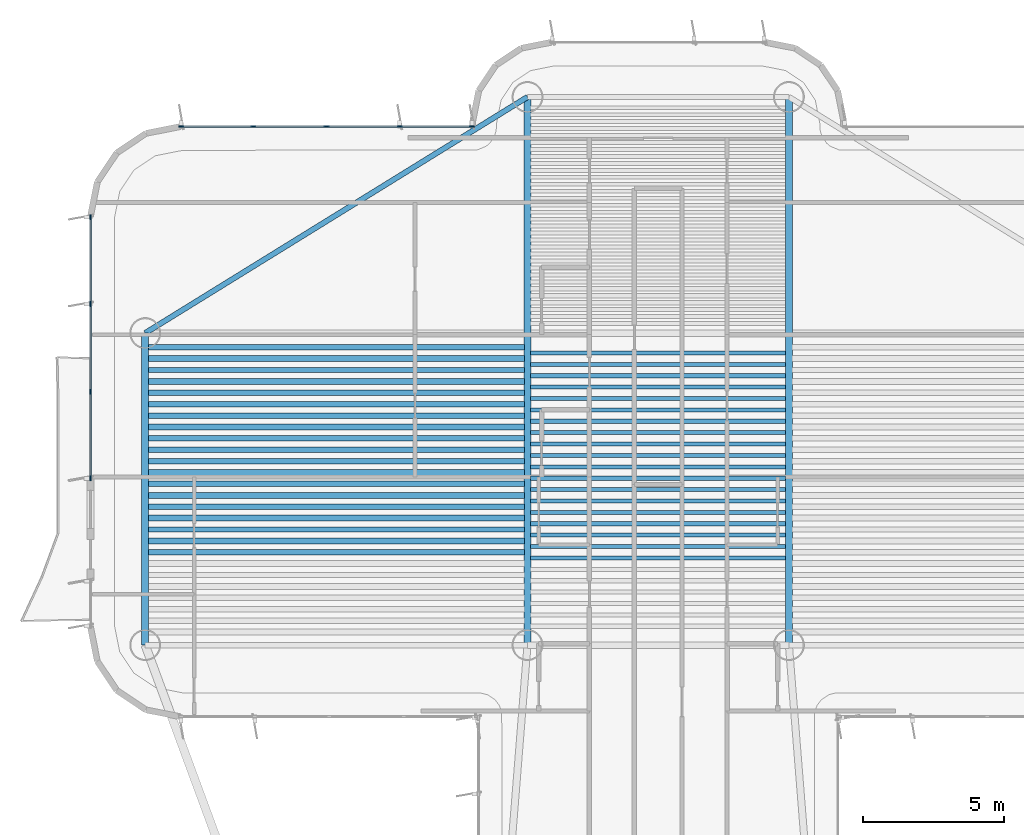
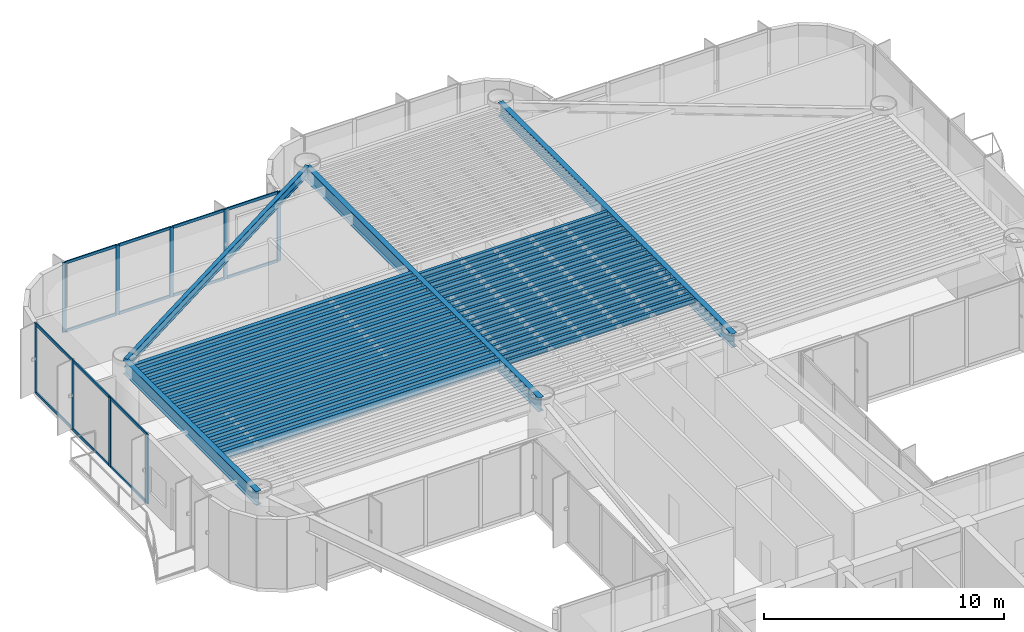
# One storey, part 5 of 14: 42 beams, 23 members, 2 elements without a shape of their own.
"""IFC4 building model written with IfcOpenShell, lengths in metres."""

from ifc_helpers import new_model, si_unit, direction, frame, origin, origin_2d, place, context, subcontext, project, spatial, rectangle, i_section, extrude, source, transform, mapped, material, layer, layer_set, material_profile, profile_set, type_object, element, aggregate, save


model = new_model("IFC4")

# Units and contexts
model_context = context("Model", 3, precision=1e-05, world=origin(), true_north=direction((0.0, 1.0)))
body_context = subcontext(model_context, "Body", "Model", "MODEL_VIEW")
ifc_project = project(units=[si_unit("LENGTHUNIT", "METRE"), si_unit("AREAUNIT", "SQUARE_METRE"), si_unit("VOLUMEUNIT", "CUBIC_METRE"), si_unit("PLANEANGLEUNIT", "RADIAN"), si_unit("MASSUNIT", "GRAM", prefix="KILO")], contexts=[model_context])

# Site, building, storey
site_placement = place(None, origin())
site = spatial("IfcSite", under=ifc_project, at=site_placement, CompositionType="ELEMENT")
building_placement = place(site_placement, origin())
building = spatial("IfcBuilding", under=site, at=building_placement, Name="Brelvock Crest Care Tower", CompositionType="ELEMENT")
storey_placement = place(building_placement, frame((0.0, 0.0, 205.56005859375)))
storey = spatial("IfcBuildingStorey", under=building, at=storey_placement, Name="L52", CompositionType="ELEMENT", Elevation=205.56005859375)

# Beams
ifc_material_1 = material(Name="Steel Grade 350", Category="steel")
ifc_material_profile_1 = material_profile(ifc_material_1, i_section(OverallWidth=0.14599609375, OverallDepth=0.256103515625, WebThickness=0.00634765625, FlangeThickness=0.010986328125, FilletRadius=0.0087890625, at=origin_2d()), Name="250UB37.3")
ifc_profile_set_1 = profile_set([ifc_material_profile_1], Name="Steel Grade 350")
beam_type_1 = type_object("IfcBeamType", Name="BM-J3", PredefinedType="JOIST", material=ifc_profile_set_1)
shared_shape_1 = source(origin(), body_context, "Body", "SweptSolid", [
    extrude(i_section(OverallWidth=0.14599609375, OverallDepth=0.256103515625, WebThickness=0.00634765625, FlangeThickness=0.010986328125, FilletRadius=0.0087890625, at=origin_2d()), origin(), (0.0, 0.0, 1.0), 9.06982421875),
])
for number, where, z_axis, x_axis, name in (
    (1, (31.465087890625, 38.0498046875, 3.40185546875), (1.0, 0.0, 0.0), (0.0, 1.0, 0.0), "BM-JH-L52-7"),
    (2, (31.465087890625, 38.454833984375, 3.40185546875), (1.0, 0.0, 0.0), (0.0, 1.0, 0.0), "BM-JH-L52-8"),
    (3, (31.465087890625, 38.860107421875, 3.40185546875), (1.0, 0.0, 0.0), (0.0, 1.0, 0.0), "BM-JH-L52-9"),
    (4, (31.465087890625, 39.26513671875, 3.40185546875), (1.0, 0.0, 0.0), (0.0, 1.0, 0.0), "BM-JH-L52-10"),
    (5, (31.465087890625, 39.67041015625, 3.40185546875), (1.0, 0.0, 0.0), (0.0, 1.0, 0.0), "BM-JH-L52-11"),
    (6, (31.465087890625, 40.075439453125, 3.40185546875), (1.0, 0.0, 0.0), (0.0, 1.0, 0.0), "BM-JH-L52-12"),
    (7, (31.465087890625, 40.480712890625, 3.40185546875), (1.0, 0.0, 0.0), (0.0, 1.0, 0.0), "BM-JH-L52-13"),
    (8, (31.465087890625, 40.8857421875, 3.40185546875), (1.0, 0.0, 0.0), (0.0, 1.0, 0.0), "BM-JH-L52-14"),
    (9, (31.465087890625, 41.291015625, 3.40185546875), (1.0, 0.0, 0.0), (0.0, 1.0, 0.0), "BM-JH-L52-15"),
    (10, (31.465087890625, 41.696044921875, 3.40185546875), (1.0, 0.0, 0.0), (0.0, 1.0, 0.0), "BM-JH-L52-16"),
    (11, (31.465087890625, 42.101318359375, 3.40185546875), (1.0, 0.0, 0.0), (0.0, 1.0, 0.0), "BM-JH-L52-17"),
    (12, (31.465087890625, 42.50634765625, 3.40185546875), (1.0, 0.0, 0.0), (0.0, 1.0, 0.0), "BM-JH-L52-18"),
    (13, (31.465087890625, 42.91162109375, 3.40185546875), (1.0, 0.0, 0.0), (0.0, 1.0, 0.0), "BM-JH-L52-19"),
    (14, (31.465087890625, 43.316650390625, 3.40185546875), (1.0, 0.0, 0.0), (0.0, 1.0, 0.0), "BM-JH-L52-20"),
    (15, (31.465087890625, 43.7216796875, 3.40185546875), (1.0, 0.0, 0.0), (0.0, 1.0, 0.0), "BM-JH-L52-21"),
    (16, (31.465087890625, 44.126953125, 3.40185546875), (1.0, 0.0, 0.0), (0.0, 1.0, 0.0), "BM-JH-L52-22"),
    (17, (31.465087890625, 44.531982421875, 3.40185546875), (1.0, 0.0, 0.0), (0.0, 1.0, 0.0), "BM-JH-L52-23"),
    (18, (31.465087890625, 44.937255859375, 3.40185546875), (1.0, 0.0, 0.0), (0.0, 1.0, 0.0), "BM-JH-L52-24"),
    (19, (31.465087890625, 45.34228515625, 3.40185546875), (1.0, 0.0, 0.0), (0.0, 1.0, 0.0), "BM-JH-L52-25"),
):
    element("IfcBeam", number, at=place(storey_placement, frame(where, z_axis=z_axis, x_axis=x_axis)), inside=storey, type_object=beam_type_1, Name=name, PredefinedType="JOIST", context=body_context, shape_type="MappedRepresentation", body=[
        mapped(shared_shape_1, transform((0.0, 0.0, 0.0), x_axis=(1.0, 0.0, 0.0), y_axis=(0.0, 1.0, 0.0), z_axis=(0.0, 0.0, 1.0), scale=1.0)),
    ])
ifc_material_profile_2 = material_profile(ifc_material_1, i_section(OverallWidth=0.208984375, OverallDepth=0.532958984375, WebThickness=0.01025390625, FlangeThickness=0.015625, FilletRadius=0.013916015625, at=origin_2d()), Name="530UB92.4")
ifc_profile_set_2 = profile_set([ifc_material_profile_2], Name="Steel Grade 350")
beam_type_2 = type_object("IfcBeamType", Name="BM-G2", PredefinedType="BEAM", material=ifc_profile_set_2)
shared_shape_2 = source(origin(), body_context, "Body", "SweptSolid", [
    extrude(i_section(OverallWidth=0.208984375, OverallDepth=0.532958984375, WebThickness=0.01025390625, FlangeThickness=0.015625, FilletRadius=0.013916015625, at=origin_2d()), origin(), (0.0, 0.0, 1.0), 13.3701171875),
])
for number, where, z_axis, x_axis, name in (
    (20, (17.864990234375, 38.657470703125, 3.263427734375), (1.0, 0.0, 0.0), (0.0, 1.0, 0.0), "BM-JW-L52-9"),
    (21, (17.864990234375, 39.4677734375, 3.263427734375), (1.0, 0.0, 0.0), (0.0, 1.0, 0.0), "BM-JW-L52-11"),
    (22, (17.864990234375, 40.278076171875, 3.263427734375), (1.0, 0.0, 0.0), (0.0, 1.0, 0.0), "BM-JW-L52-13"),
    (23, (17.864990234375, 41.08837890625, 3.263427734375), (1.0, 0.0, 0.0), (0.0, 1.0, 0.0), "BM-JW-L52-15"),
    (24, (17.864990234375, 41.898681640625, 3.263427734375), (1.0, 0.0, 0.0), (0.0, 1.0, 0.0), "BM-JW-L52-17"),
    (25, (17.864990234375, 42.708984375, 3.263427734375), (1.0, 0.0, 0.0), (0.0, 1.0, 0.0), "BM-JW-L52-19"),
    (26, (17.864990234375, 43.519287109375, 3.263427734375), (1.0, 0.0, 0.0), (0.0, 1.0, 0.0), "BM-JW-L52-21"),
    (27, (17.864990234375, 44.32958984375, 3.263427734375), (1.0, 0.0, 0.0), (0.0, 1.0, 0.0), "BM-JW-L52-23"),
    (28, (17.864990234375, 45.139892578125, 3.263427734375), (1.0, 0.0, 0.0), (0.0, 1.0, 0.0), "BM-JW-L52-25"),
):
    element("IfcBeam", number, at=place(storey_placement, frame(where, z_axis=z_axis, x_axis=x_axis)), inside=storey, type_object=beam_type_2, Name=name, PredefinedType="BEAM", context=body_context, shape_type="MappedRepresentation", body=[
        mapped(shared_shape_2, transform((0.0, 0.0, 0.0), x_axis=(1.0, 0.0, 0.0), y_axis=(0.0, 1.0, 0.0), z_axis=(0.0, 0.0, 1.0), scale=1.0)),
    ])
ifc_material_profile_3 = material_profile(ifc_material_1, i_section(OverallWidth=0.19091796875, OverallDepth=0.4599609375, WebThickness=0.010009765625, FlangeThickness=0.01611328125, FilletRadius=0.011474609375, at=origin_2d()), Name="460UB82.1")
ifc_profile_set_3 = profile_set([ifc_material_profile_3], Name="Steel Grade 350")
beam_type_3 = type_object("IfcBeamType", Name="BM-G3", PredefinedType="BEAM", material=ifc_profile_set_3)
shared_shape_3 = source(origin(), body_context, "Body", "SweptSolid", [
    extrude(i_section(OverallWidth=0.19091796875, OverallDepth=0.4599609375, WebThickness=0.010009765625, FlangeThickness=0.01611328125, FilletRadius=0.011474609375, at=origin_2d()), origin(), (0.0, 0.0, 1.0), 13.3701171875),
])
for number, where, z_axis, x_axis, name in (
    (29, (17.864990234375, 38.252197265625, 3.300048828125), (1.0, 0.0, 0.0), (0.0, 1.0, 0.0), "BM-JW-L52-8"),
    (30, (17.864990234375, 39.0625, 3.300048828125), (1.0, 0.0, 0.0), (0.0, 1.0, 0.0), "BM-JW-L52-10"),
    (31, (17.864990234375, 39.872802734375, 3.300048828125), (1.0, 0.0, 0.0), (0.0, 1.0, 0.0), "BM-JW-L52-12"),
    (32, (17.864990234375, 40.68310546875, 3.300048828125), (1.0, 0.0, 0.0), (0.0, 1.0, 0.0), "BM-JW-L52-14"),
    (33, (17.864990234375, 41.493408203125, 3.300048828125), (1.0, 0.0, 0.0), (0.0, 1.0, 0.0), "BM-JW-L52-16"),
    (34, (17.864990234375, 42.3037109375, 3.300048828125), (1.0, 0.0, 0.0), (0.0, 1.0, 0.0), "BM-JW-L52-18"),
    (35, (17.864990234375, 43.114013671875, 3.300048828125), (1.0, 0.0, 0.0), (0.0, 1.0, 0.0), "BM-JW-L52-20"),
    (36, (17.864990234375, 43.92431640625, 3.300048828125), (1.0, 0.0, 0.0), (0.0, 1.0, 0.0), "BM-JW-L52-22"),
    (37, (17.864990234375, 44.734619140625, 3.300048828125), (1.0, 0.0, 0.0), (0.0, 1.0, 0.0), "BM-JW-L52-24"),
    (38, (17.864990234375, 45.544921875, 3.300048828125), (1.0, 0.0, 0.0), (0.0, 1.0, 0.0), "BM-JW-L52-26"),
):
    element("IfcBeam", number, at=place(storey_placement, frame(where, z_axis=z_axis, x_axis=x_axis)), inside=storey, type_object=beam_type_3, Name=name, PredefinedType="BEAM", context=body_context, shape_type="MappedRepresentation", body=[
        mapped(shared_shape_3, transform((0.0, 0.0, 0.0), x_axis=(1.0, 0.0, 0.0), y_axis=(0.0, 1.0, 0.0), z_axis=(0.0, 0.0, 1.0), scale=1.0)),
    ])
ifc_material_profile_4 = material_profile(ifc_material_1, i_section(OverallWidth=0.25, OverallDepth=0.699951171875, WebThickness=0.011962890625, FlangeThickness=0.02001953125, at=origin_2d()), Name="700WB150")
ifc_profile_set_4 = profile_set([ifc_material_profile_4], Name="Steel Grade 350")
beam_type_4 = type_object("IfcBeamType", Name="BM-G4", PredefinedType="BEAM", material=ifc_profile_set_4)
shared_shape_4 = source(origin(), body_context, "Body", "SweptSolid", [
    extrude(i_section(OverallWidth=0.25, OverallDepth=0.699951171875, WebThickness=0.011962890625, FlangeThickness=0.02001953125, at=origin_2d()), origin(), (0.0, 0.0, 1.0), 11.10009765625),
])
beam_1_placement = place(storey_placement, frame((17.75, 34.949951171875, 3.179931640625), z_axis=(0.0, 1.0, 0.0), x_axis=(-1.0, 0.0, 0.0)))
element("IfcBeam", 39, at=beam_1_placement, inside=storey, type_object=beam_type_4, Name="BM-TWR-L52-01", PredefinedType="BEAM", context=body_context, shape_type="MappedRepresentation", body=[
    mapped(shared_shape_4, transform((0.0, 0.0, 0.0), x_axis=(1.0, 0.0, 0.0), y_axis=(0.0, 1.0, 0.0), z_axis=(0.0, 0.0, 1.0), scale=1.0)),
])
ifc_material_profile_5 = material_profile(ifc_material_1, i_section(OverallWidth=0.19091796875, OverallDepth=0.4599609375, WebThickness=0.010009765625, FlangeThickness=0.01611328125, FilletRadius=0.011474609375, at=origin_2d()), Name="460UB82.1")
ifc_profile_set_5 = profile_set([ifc_material_profile_5], Name="Steel Grade 350")
beam_type_5 = type_object("IfcBeamType", Name="BM-SP2", PredefinedType="SPANDREL", material=ifc_profile_set_5)
shared_shape_5 = source(origin(), body_context, "Body", "SweptSolid", [
    extrude(i_section(OverallWidth=0.19091796875, OverallDepth=0.4599609375, WebThickness=0.010009765625, FlangeThickness=0.01611328125, FilletRadius=0.011474609375, at=origin_2d()), origin(), (0.0, 0.0, 1.0), 15.985107421875),
])
beam_2_placement = place(storey_placement, frame((17.75, 46.050048828125, 3.300048828125), z_axis=(0.850802415717, 0.525485727124, 0.0), x_axis=(-0.525485727124, 0.850802415717, 0.0)))
element("IfcBeam", 40, at=beam_2_placement, inside=storey, type_object=beam_type_5, Name="BM-TWR-L52-06", PredefinedType="SPANDREL", context=body_context, shape_type="MappedRepresentation", body=[
    mapped(shared_shape_5, transform((0.0, 0.0, 0.0), x_axis=(1.0, 0.0, 0.0), y_axis=(0.0, 1.0, 0.0), z_axis=(0.0, 0.0, 1.0), scale=1.0)),
])
shared_shape_6 = source(origin(), body_context, "Body", "SweptSolid", [
    extrude(i_section(OverallWidth=0.25, OverallDepth=0.699951171875, WebThickness=0.011962890625, FlangeThickness=0.02001953125, at=origin_2d()), origin(), (0.0, 0.0, 1.0), 19.5),
])
for number, where, z_axis, x_axis, name in (
    (41, (31.35009765625, 34.949951171875, 3.179931640625), (0.0, 1.0, 0.0), (-1.0, 0.0, 0.0), "BM-TWR-L52-09"),
    (42, (40.64990234375, 34.949951171875, 3.179931640625), (0.0, 1.0, 0.0), (-1.0, 0.0, 0.0), "BM-TWR-L52-10"),
):
    element("IfcBeam", number, at=place(storey_placement, frame(where, z_axis=z_axis, x_axis=x_axis)), inside=storey, type_object=beam_type_4, Name=name, PredefinedType="BEAM", context=body_context, shape_type="MappedRepresentation", body=[
        mapped(shared_shape_6, transform((0.0, 0.0, 0.0), x_axis=(1.0, 0.0, 0.0), y_axis=(0.0, 1.0, 0.0), z_axis=(0.0, 0.0, 1.0), scale=1.0)),
    ])

# Curtain wall, members
ifc_material_2 = material(Name="Dark Glass Double Glazed Low-E", Category="glass")
ifc_layer = layer(ifc_material_2, 0.22509765625, Name="CWS-4")
ifc_layer_set = layer_set([ifc_layer], Name="Dark Glass Double Glazed Low-E")
curtain_wall_type = type_object("IfcCurtainWallType", Name="CWS-4", PredefinedType="NOTDEFINED", material=ifc_layer_set)
curtain_wall_1_placement = place(storey_placement, origin())
curtain_wall_1 = element("IfcCurtainWall", 43, at=curtain_wall_1_placement, inside=storey, type_object=curtain_wall_type, Name="L52 Curtain Wall E17B", PredefinedType="NOTDEFINED")
ifc_material_3 = material(Name="Aluminium 6063-T6", Category="aluminium")
ifc_material_profile_6 = material_profile(ifc_material_3, rectangle(XDim=0.06005859375, YDim=0.179931640625, at=origin_2d()), Name="ALU60x180")
ifc_profile_set_6 = profile_set([ifc_material_profile_6], Name="Aluminium 6063-T6")
member_type_1 = type_object("IfcMemberType", Name="CWM-2", PredefinedType="MULLION", material=ifc_profile_set_6)
shared_shape_7 = source(origin(), body_context, "Body", "SweptSolid", [
    extrude(rectangle(XDim=0.06005859375, YDim=0.179931640625, at=origin_2d()), origin(), (0.0, 0.0, 1.0), 3.530029296875),
])
member_1_placement = place(storey_placement, frame((15.800048828125, 40.8798828125, 0.0), z_axis=(0.0, 0.0, 1.0), x_axis=(-1.0, 0.0, 0.0)))
member_1 = element("IfcMember", 44, at=member_1_placement, type_object=member_type_1, Name="CW-4 mullion 1", PredefinedType="MULLION", context=body_context, shape_type="MappedRepresentation", body=[
    mapped(shared_shape_7, transform((0.0, 0.0, 0.0), x_axis=(1.0, 0.0, 0.0), y_axis=(0.0, 1.0, 0.0), z_axis=(0.0, 0.0, 1.0), scale=1.0)),
])
member_2_placement = place(storey_placement, frame((15.800048828125, 43.966552734375, 0.0), z_axis=(0.0, 0.0, 1.0), x_axis=(-1.0, 0.0, 0.0)))
member_2 = element("IfcMember", 45, at=member_2_placement, type_object=member_type_1, Name="CW-4 mullion 2", PredefinedType="MULLION", context=body_context, shape_type="MappedRepresentation", body=[
    mapped(shared_shape_7, transform((0.0, 0.0, 0.0), x_axis=(1.0, 0.0, 0.0), y_axis=(0.0, 1.0, 0.0), z_axis=(0.0, 0.0, 1.0), scale=1.0)),
])
member_3_placement = place(storey_placement, frame((15.800048828125, 47.083251953125, 0.0), z_axis=(0.0, 0.0, 1.0), x_axis=(-1.0, 0.0, 0.0)))
member_3 = element("IfcMember", 46, at=member_3_placement, type_object=member_type_1, Name="CW-4 mullion 3", PredefinedType="MULLION", context=body_context, shape_type="MappedRepresentation", body=[
    mapped(shared_shape_7, transform((0.0, 0.0, 0.0), x_axis=(1.0, 0.0, 0.0), y_axis=(0.0, 1.0, 0.0), z_axis=(0.0, 0.0, 1.0), scale=1.0)),
])
member_4_placement = place(storey_placement, frame((15.800048828125, 50.169921875, 0.0), z_axis=(0.0, 0.0, 1.0), x_axis=(-1.0, 0.0, 0.0)))
member_4 = element("IfcMember", 47, at=member_4_placement, type_object=member_type_1, Name="CW-4 mullion 4", PredefinedType="MULLION", context=body_context, shape_type="MappedRepresentation", body=[
    mapped(shared_shape_7, transform((0.0, 0.0, 0.0), x_axis=(1.0, 0.0, 0.0), y_axis=(0.0, 1.0, 0.0), z_axis=(0.0, 0.0, 1.0), scale=1.0)),
])

curtain_wall_2_placement = place(storey_placement, origin())
curtain_wall_2 = element("IfcCurtainWall", 48, at=curtain_wall_2_placement, inside=storey, type_object=curtain_wall_type, Name="L52 Curtain Wall E22", PredefinedType="NOTDEFINED")
member_5_placement = place(storey_placement, frame((19.030029296875, 53.39990234375, 0.0), z_axis=(0.0, 0.0, 1.0), x_axis=(0.0, 1.0, 0.0)))
member_5 = element("IfcMember", 49, at=member_5_placement, type_object=member_type_1, Name="CW-4 mullion 1", PredefinedType="MULLION", context=body_context, shape_type="MappedRepresentation", body=[
    mapped(shared_shape_7, transform((0.0, 0.0, 0.0), x_axis=(1.0, 0.0, 0.0), y_axis=(0.0, 1.0, 0.0), z_axis=(0.0, 0.0, 1.0), scale=1.0)),
])
member_6_placement = place(storey_placement, frame((21.60009765625, 53.39990234375, 0.0), z_axis=(0.0, 0.0, 1.0), x_axis=(0.0, 1.0, 0.0)))
member_6 = element("IfcMember", 50, at=member_6_placement, type_object=member_type_1, Name="CW-4 mullion 2", PredefinedType="MULLION", context=body_context, shape_type="MappedRepresentation", body=[
    mapped(shared_shape_7, transform((0.0, 0.0, 0.0), x_axis=(1.0, 0.0, 0.0), y_axis=(0.0, 1.0, 0.0), z_axis=(0.0, 0.0, 1.0), scale=1.0)),
])
member_7_placement = place(storey_placement, frame((24.199951171875, 53.39990234375, 0.0), z_axis=(0.0, 0.0, 1.0), x_axis=(0.0, 1.0, 0.0)))
member_7 = element("IfcMember", 51, at=member_7_placement, type_object=member_type_1, Name="CW-4 mullion 3", PredefinedType="MULLION", context=body_context, shape_type="MappedRepresentation", body=[
    mapped(shared_shape_7, transform((0.0, 0.0, 0.0), x_axis=(1.0, 0.0, 0.0), y_axis=(0.0, 1.0, 0.0), z_axis=(0.0, 0.0, 1.0), scale=1.0)),
])
member_8_placement = place(storey_placement, frame((26.800048828125, 53.39990234375, 0.0), z_axis=(0.0, 0.0, 1.0), x_axis=(0.0, 1.0, 0.0)))
member_8 = element("IfcMember", 52, at=member_8_placement, type_object=member_type_1, Name="CW-4 mullion 4", PredefinedType="MULLION", context=body_context, shape_type="MappedRepresentation", body=[
    mapped(shared_shape_7, transform((0.0, 0.0, 0.0), x_axis=(1.0, 0.0, 0.0), y_axis=(0.0, 1.0, 0.0), z_axis=(0.0, 0.0, 1.0), scale=1.0)),
])
member_9_placement = place(storey_placement, frame((29.3701171875, 53.39990234375, 0.0), z_axis=(0.0, 0.0, 1.0), x_axis=(0.0, 1.0, 0.0)))
member_9 = element("IfcMember", 53, at=member_9_placement, type_object=member_type_1, Name="CW-4 mullion 5", PredefinedType="MULLION", context=body_context, shape_type="MappedRepresentation", body=[
    mapped(shared_shape_7, transform((0.0, 0.0, 0.0), x_axis=(1.0, 0.0, 0.0), y_axis=(0.0, 1.0, 0.0), z_axis=(0.0, 0.0, 1.0), scale=1.0)),
])
ifc_material_profile_7 = material_profile(ifc_material_3, rectangle(XDim=0.06005859375, YDim=0.139892578125, at=origin_2d()), Name="ALU60x140")
ifc_profile_set_7 = profile_set([ifc_material_profile_7], Name="Aluminium 6063-T6")
member_type_2 = type_object("IfcMemberType", Name="CWT-2", PredefinedType="USERDEFINED", material=ifc_profile_set_7)
shared_shape_8 = source(origin(), body_context, "Body", "SweptSolid", [
    extrude(rectangle(XDim=0.06005859375, YDim=0.139892578125, at=origin_2d()), origin(), (0.0, 0.0, 1.0), 2.510009765625),
])
member_10_placement = place(storey_placement, frame((19.06005859375, 53.39990234375, 0.030029296875), z_axis=(1.0, 0.0, 0.0), x_axis=(0.0, 1.0, 0.0)))
member_10 = element("IfcMember", 54, at=member_10_placement, type_object=member_type_2, Name="CW-4 transom 1.1", ObjectType="TRANSOM", PredefinedType="USERDEFINED", context=body_context, shape_type="MappedRepresentation", body=[
    mapped(shared_shape_8, transform((0.0, 0.0, 0.0), x_axis=(1.0, 0.0, 0.0), y_axis=(0.0, 1.0, 0.0), z_axis=(0.0, 0.0, 1.0), scale=1.0)),
])
member_11_placement = place(storey_placement, frame((19.06005859375, 53.39990234375, 3.5), z_axis=(1.0, 0.0, 0.0), x_axis=(0.0, 1.0, 0.0)))
member_11 = element("IfcMember", 55, at=member_11_placement, type_object=member_type_2, Name="CW-4 transom 1.2", ObjectType="TRANSOM", PredefinedType="USERDEFINED", context=body_context, shape_type="MappedRepresentation", body=[
    mapped(shared_shape_8, transform((0.0, 0.0, 0.0), x_axis=(1.0, 0.0, 0.0), y_axis=(0.0, 1.0, 0.0), z_axis=(0.0, 0.0, 1.0), scale=1.0)),
])
member_12_placement = place(storey_placement, frame((26.830078125, 53.39990234375, 0.030029296875), z_axis=(1.0, 0.0, 0.0), x_axis=(0.0, 1.0, 0.0)))
member_12 = element("IfcMember", 56, at=member_12_placement, type_object=member_type_2, Name="CW-4 transom 4.1", ObjectType="TRANSOM", PredefinedType="USERDEFINED", context=body_context, shape_type="MappedRepresentation", body=[
    mapped(shared_shape_8, transform((0.0, 0.0, 0.0), x_axis=(1.0, 0.0, 0.0), y_axis=(0.0, 1.0, 0.0), z_axis=(0.0, 0.0, 1.0), scale=1.0)),
])
member_13_placement = place(storey_placement, frame((26.830078125, 53.39990234375, 3.5), z_axis=(1.0, 0.0, 0.0), x_axis=(0.0, 1.0, 0.0)))
member_13 = element("IfcMember", 57, at=member_13_placement, type_object=member_type_2, Name="CW-4 transom 4.2", ObjectType="TRANSOM", PredefinedType="USERDEFINED", context=body_context, shape_type="MappedRepresentation", body=[
    mapped(shared_shape_8, transform((0.0, 0.0, 0.0), x_axis=(1.0, 0.0, 0.0), y_axis=(0.0, 1.0, 0.0), z_axis=(0.0, 0.0, 1.0), scale=1.0)),
])
shared_shape_9 = source(origin(), body_context, "Body", "SweptSolid", [
    extrude(rectangle(XDim=0.06005859375, YDim=0.139892578125, at=origin_2d()), origin(), (0.0, 0.0, 1.0), 2.5400390625),
])
member_14_placement = place(storey_placement, frame((21.6298828125, 53.39990234375, 0.030029296875), z_axis=(1.0, 0.0, 0.0), x_axis=(0.0, 1.0, 0.0)))
member_14 = element("IfcMember", 58, at=member_14_placement, type_object=member_type_2, Name="CW-4 transom 2.1", ObjectType="TRANSOM", PredefinedType="USERDEFINED", context=body_context, shape_type="MappedRepresentation", body=[
    mapped(shared_shape_9, transform((0.0, 0.0, 0.0), x_axis=(1.0, 0.0, 0.0), y_axis=(0.0, 1.0, 0.0), z_axis=(0.0, 0.0, 1.0), scale=1.0)),
])
member_15_placement = place(storey_placement, frame((21.6298828125, 53.39990234375, 3.5), z_axis=(1.0, 0.0, 0.0), x_axis=(0.0, 1.0, 0.0)))
member_15 = element("IfcMember", 59, at=member_15_placement, type_object=member_type_2, Name="CW-4 transom 2.2", ObjectType="TRANSOM", PredefinedType="USERDEFINED", context=body_context, shape_type="MappedRepresentation", body=[
    mapped(shared_shape_9, transform((0.0, 0.0, 0.0), x_axis=(1.0, 0.0, 0.0), y_axis=(0.0, 1.0, 0.0), z_axis=(0.0, 0.0, 1.0), scale=1.0)),
])
member_16_placement = place(storey_placement, frame((24.22998046875, 53.39990234375, 0.030029296875), z_axis=(1.0, 0.0, 0.0), x_axis=(0.0, 1.0, 0.0)))
member_16 = element("IfcMember", 60, at=member_16_placement, type_object=member_type_2, Name="CW-4 transom 3.1", ObjectType="TRANSOM", PredefinedType="USERDEFINED", context=body_context, shape_type="MappedRepresentation", body=[
    mapped(shared_shape_9, transform((0.0, 0.0, 0.0), x_axis=(1.0, 0.0, 0.0), y_axis=(0.0, 1.0, 0.0), z_axis=(0.0, 0.0, 1.0), scale=1.0)),
])
member_17_placement = place(storey_placement, frame((24.22998046875, 53.39990234375, 3.5), z_axis=(1.0, 0.0, 0.0), x_axis=(0.0, 1.0, 0.0)))
member_17 = element("IfcMember", 61, at=member_17_placement, type_object=member_type_2, Name="CW-4 transom 3.2", ObjectType="TRANSOM", PredefinedType="USERDEFINED", context=body_context, shape_type="MappedRepresentation", body=[
    mapped(shared_shape_9, transform((0.0, 0.0, 0.0), x_axis=(1.0, 0.0, 0.0), y_axis=(0.0, 1.0, 0.0), z_axis=(0.0, 0.0, 1.0), scale=1.0)),
])
aggregate(curtain_wall_2, [member_5, member_6, member_7, member_8, member_9, member_10, member_11, member_14, member_15, member_16, member_17, member_12, member_13])

# Member
shared_shape_10 = source(origin(), body_context, "Body", "SweptSolid", [
    extrude(rectangle(XDim=0.06005859375, YDim=0.139892578125, at=origin_2d()), origin(), (0.0, 0.0, 1.0), 3.02685546875),
])
member_18_placement = place(storey_placement, frame((15.800048828125, 40.909912109375, 0.030029296875), z_axis=(0.0, 1.0, 0.0), x_axis=(-1.0, 0.0, 0.0)))
member_18 = element("IfcMember", 62, at=member_18_placement, type_object=member_type_2, Name="CW-4 transom 1.1", ObjectType="TRANSOM", PredefinedType="USERDEFINED", context=body_context, shape_type="MappedRepresentation", body=[
    mapped(shared_shape_10, transform((0.0, 0.0, 0.0), x_axis=(1.0, 0.0, 0.0), y_axis=(0.0, 1.0, 0.0), z_axis=(0.0, 0.0, 1.0), scale=1.0)),
])

member_19_placement = place(storey_placement, frame((15.800048828125, 40.909912109375, 3.5), z_axis=(0.0, 1.0, 0.0), x_axis=(-1.0, 0.0, 0.0)))
member_19 = element("IfcMember", 63, at=member_19_placement, type_object=member_type_2, Name="CW-4 transom 1.2", ObjectType="TRANSOM", PredefinedType="USERDEFINED", context=body_context, shape_type="MappedRepresentation", body=[
    mapped(shared_shape_10, transform((0.0, 0.0, 0.0), x_axis=(1.0, 0.0, 0.0), y_axis=(0.0, 1.0, 0.0), z_axis=(0.0, 0.0, 1.0), scale=1.0)),
])

shared_shape_11 = source(origin(), body_context, "Body", "SweptSolid", [
    extrude(rectangle(XDim=0.06005859375, YDim=0.139892578125, at=origin_2d()), origin(), (0.0, 0.0, 1.0), 3.056640625),
])
member_20_placement = place(storey_placement, frame((15.800048828125, 43.99658203125, 0.030029296875), z_axis=(0.0, 1.0, 0.0), x_axis=(-1.0, 0.0, 0.0)))
member_20 = element("IfcMember", 64, at=member_20_placement, type_object=member_type_2, Name="CW-4 transom 2.1", ObjectType="TRANSOM", PredefinedType="USERDEFINED", context=body_context, shape_type="MappedRepresentation", body=[
    mapped(shared_shape_11, transform((0.0, 0.0, 0.0), x_axis=(1.0, 0.0, 0.0), y_axis=(0.0, 1.0, 0.0), z_axis=(0.0, 0.0, 1.0), scale=1.0)),
])

member_21_placement = place(storey_placement, frame((15.800048828125, 43.99658203125, 3.5), z_axis=(0.0, 1.0, 0.0), x_axis=(-1.0, 0.0, 0.0)))
member_21 = element("IfcMember", 65, at=member_21_placement, type_object=member_type_2, Name="CW-4 transom 2.2", ObjectType="TRANSOM", PredefinedType="USERDEFINED", context=body_context, shape_type="MappedRepresentation", body=[
    mapped(shared_shape_11, transform((0.0, 0.0, 0.0), x_axis=(1.0, 0.0, 0.0), y_axis=(0.0, 1.0, 0.0), z_axis=(0.0, 0.0, 1.0), scale=1.0)),
])

shared_shape_12 = source(origin(), body_context, "Body", "SweptSolid", [
    extrude(rectangle(XDim=0.06005859375, YDim=0.139892578125, at=origin_2d()), origin(), (0.0, 0.0, 1.0), 3.026611328125),
])
member_22_placement = place(storey_placement, frame((15.800048828125, 47.11328125, 0.030029296875), z_axis=(0.0, 1.0, 0.0), x_axis=(-1.0, 0.0, 0.0)))
member_22 = element("IfcMember", 66, at=member_22_placement, type_object=member_type_2, Name="CW-4 transom 3.1", ObjectType="TRANSOM", PredefinedType="USERDEFINED", context=body_context, shape_type="MappedRepresentation", body=[
    mapped(shared_shape_12, transform((0.0, 0.0, 0.0), x_axis=(1.0, 0.0, 0.0), y_axis=(0.0, 1.0, 0.0), z_axis=(0.0, 0.0, 1.0), scale=1.0)),
])

member_23_placement = place(storey_placement, frame((15.800048828125, 47.11328125, 3.5), z_axis=(0.0, 1.0, 0.0), x_axis=(-1.0, 0.0, 0.0)))
member_23 = element("IfcMember", 67, at=member_23_placement, type_object=member_type_2, Name="CW-4 transom 3.2", ObjectType="TRANSOM", PredefinedType="USERDEFINED", context=body_context, shape_type="MappedRepresentation", body=[
    mapped(shared_shape_12, transform((0.0, 0.0, 0.0), x_axis=(1.0, 0.0, 0.0), y_axis=(0.0, 1.0, 0.0), z_axis=(0.0, 0.0, 1.0), scale=1.0)),
])

aggregate(curtain_wall_1, [member_1, member_2, member_3, member_4, member_18, member_19, member_20, member_21, member_22, member_23])

save(model, "model.ifc")
